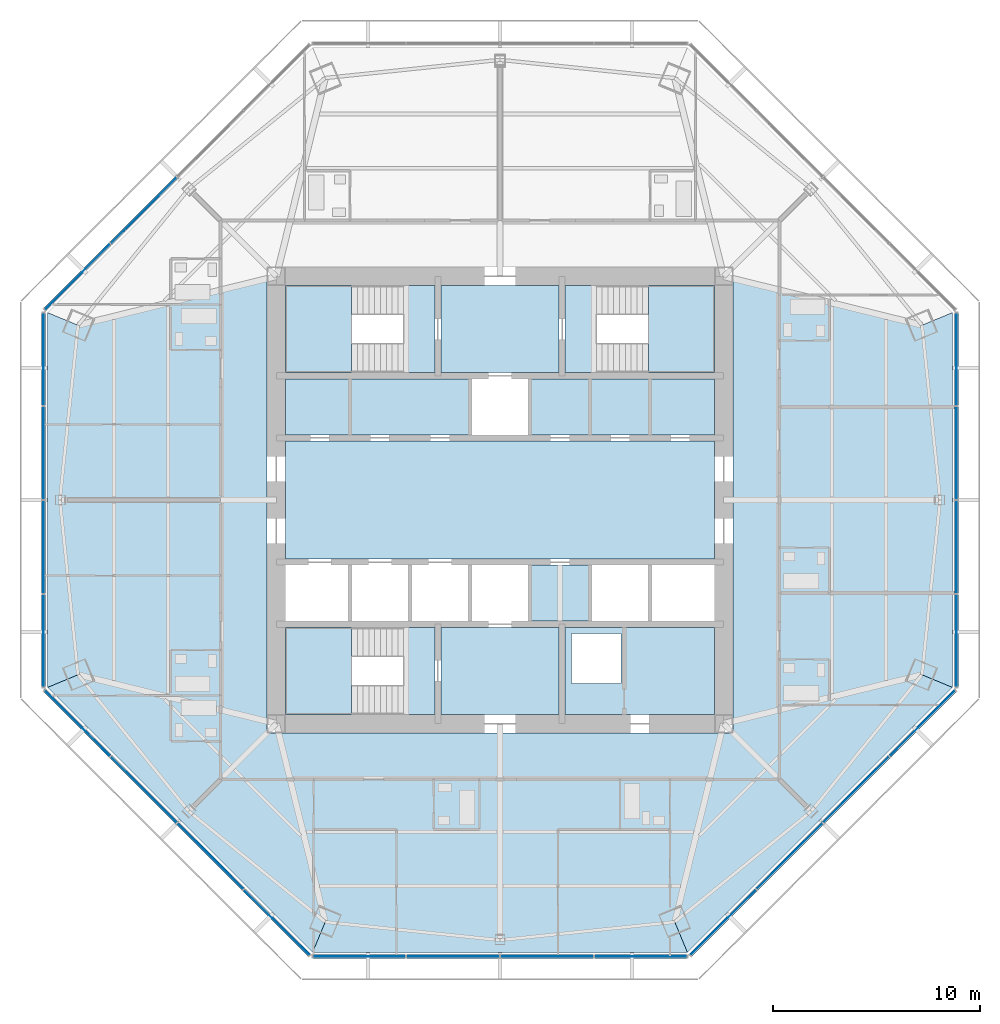
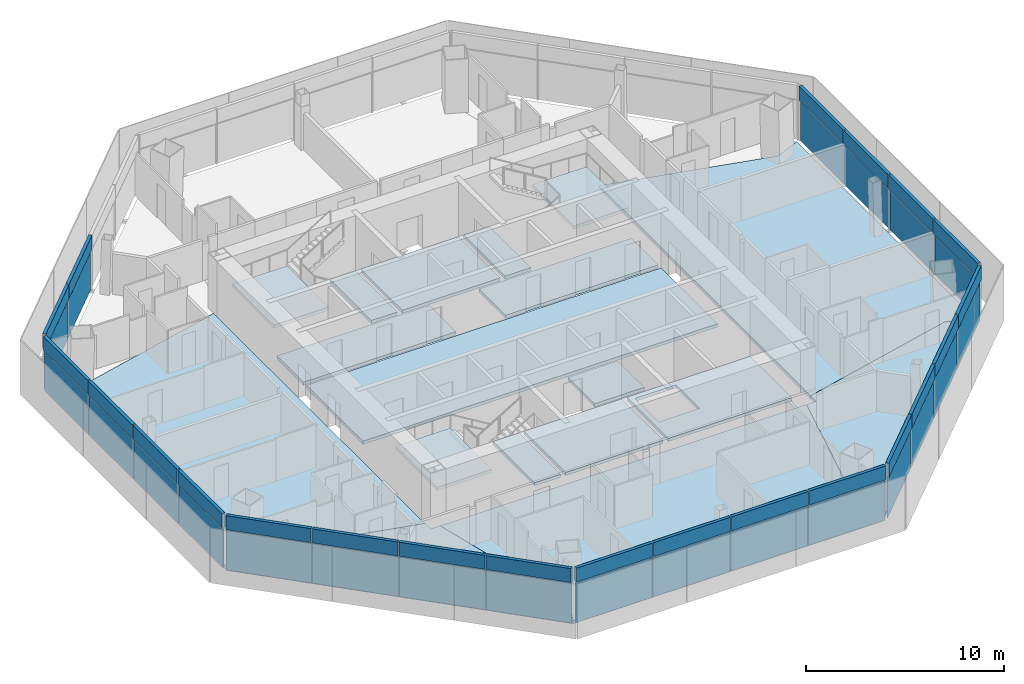
# One storey, part 7 of 15: 44 plates, 18 slabs, 9 elements without a shape of their own.
"""IFC4 building model written with IfcOpenShell, lengths in metres."""

from ifc_helpers import new_model, si_unit, direction, frame, origin, origin_2d, place, context, subcontext, project, spatial, polyline, rectangle, outline, extrude, source, transform, mapped, material, layer, layer_set, type_object, type_shapes, element, aggregate, save


model = new_model("IFC4")

# Units and contexts
model_context = context("Model", 3, precision=1e-05, world=origin(), true_north=direction((0.0, 1.0)))
body_context = subcontext(model_context, "Body", "Model", "MODEL_VIEW")
ifc_project = project(units=[si_unit("LENGTHUNIT", "METRE"), si_unit("AREAUNIT", "SQUARE_METRE"), si_unit("VOLUMEUNIT", "CUBIC_METRE"), si_unit("PLANEANGLEUNIT", "RADIAN"), si_unit("MASSUNIT", "GRAM", prefix="KILO")], contexts=[model_context])

# Site, building, storey
site_placement = place(None, origin())
site = spatial("IfcSite", under=ifc_project, at=site_placement, CompositionType="ELEMENT")
building_placement = place(site_placement, origin())
building = spatial("IfcBuilding", under=site, at=building_placement, Name="Mashrafa Tower", CompositionType="ELEMENT")
storey_placement = place(building_placement, frame((0.0, 0.0, 210.800048828125)))
storey = spatial("IfcBuildingStorey", under=building, at=storey_placement, Name="L48", CompositionType="ELEMENT", Elevation=210.800048828125)

# Slabs
ifc_material_1 = material(Name="Concrete C35/45", Category="concrete")
ifc_layer_1 = layer(ifc_material_1, 0.199951171875)
ifc_layer_set_1 = layer_set([ifc_layer_1], Name="Floor slab 200")
slab_type_1 = type_object("IfcSlabType", Name="Floor slab 200", PredefinedType="FLOOR", material=ifc_layer_set_1)
slab_1_placement = place(storey_placement, frame((0.0, 0.0, -0.199951171875)))
element("IfcSlab", 1, at=slab_1_placement, inside=storey, type_object=slab_type_1, Name="Floor slab L48 east bay", PredefinedType="FLOOR", context=body_context, shape_type="SweptSolid", body=[
    extrude(outline(polyline([(21.8515625, -9.05126953125), (20.37890625, -8.441162109375), (11.25, -10.689208984375), (11.25, 10.689208984375), (20.37890625, 8.441162109375), (21.8515625, 9.05126953125), (21.8515625, -9.05126953125)])), origin(), (0.0, 0.0, 1.0), 0.199951171875),
])
slab_2_placement = place(storey_placement, frame((0.0, 0.0, -0.199951171875)))
element("IfcSlab", 2, at=slab_2_placement, inside=storey, type_object=slab_type_1, Name="Floor slab L48 west bay", PredefinedType="FLOOR", context=body_context, shape_type="SweptSolid", body=[
    extrude(outline(polyline([(-21.8515625, 9.05126953125), (-20.37890625, 8.441162109375), (-11.25, 10.689208984375), (-11.25, -10.689208984375), (-20.37890625, -8.441162109375), (-21.8515625, -9.05126953125), (-21.8515625, 9.05126953125)])), origin(), (0.0, 0.0, 1.0), 0.199951171875),
])
slab_3_placement = place(storey_placement, frame((0.0, 0.0, -0.199951171875)))
element("IfcSlab", 3, at=slab_3_placement, inside=storey, type_object=slab_type_1, Name="Floor slab L48 south-west bay", PredefinedType="FLOOR", context=body_context, shape_type="SweptSolid", body=[
    extrude(outline(polyline([(-9.05126953125, -21.8515625), (-21.8515625, -9.05126953125), (-21.8515625, -9.05126953125), (-20.37890625, -8.441162109375), (-11.25, -10.689208984375), (-11.25, -11.25), (-10.689208984375, -11.25), (-8.441162109375, -20.37890625), (-9.05126953125, -21.8515625), (-9.05126953125, -21.8515625)])), origin(), (0.0, 0.0, 1.0), 0.199951171875),
])
slab_4_placement = place(storey_placement, frame((0.0, 0.0, -0.199951171875)))
element("IfcSlab", 4, at=slab_4_placement, inside=storey, type_object=slab_type_1, Name="Floor slab L48 south bay", PredefinedType="FLOOR", context=body_context, shape_type="SweptSolid", body=[
    extrude(outline(polyline([(-9.05126953125, -21.8515625), (-8.441162109375, -20.37890625), (-10.689208984375, -11.25), (10.689208984375, -11.25), (8.441162109375, -20.37890625), (9.05126953125, -21.8515625), (-9.05126953125, -21.8515625)])), origin(), (0.0, 0.0, 1.0), 0.199951171875),
])
slab_5_placement = place(storey_placement, frame((0.0, 0.0, -0.199951171875)))
element("IfcSlab", 5, at=slab_5_placement, inside=storey, type_object=slab_type_1, Name="Floor slab L48 south-east bay", PredefinedType="FLOOR", context=body_context, shape_type="SweptSolid", body=[
    extrude(outline(polyline([(9.05126953125, -21.8515625), (8.441162109375, -20.37890625), (10.689208984375, -11.25), (11.25, -11.25), (11.25, -10.689208984375), (20.37890625, -8.441162109375), (21.8515625, -9.05126953125), (21.8515625, -9.05126953125), (9.05126953125, -21.8515625), (9.05126953125, -21.8515625)])), origin(), (0.0, 0.0, 1.0), 0.199951171875),
])
slab_6_placement = place(storey_placement, frame((0.0, 0.0, -0.199951171875)))
element("IfcSlab", 6, at=slab_6_placement, inside=storey, type_object=slab_type_1, Name="Core floor lift hall L48", PredefinedType="FLOOR", context=body_context, shape_type="SweptSolid", body=[
    extrude(outline(polyline([(-10.35009765625, 2.85009765625), (10.35009765625, 2.85009765625), (10.35009765625, -2.85009765625), (-10.35009765625, -2.85009765625), (-10.35009765625, 2.85009765625)])), origin(), (0.0, 0.0, 1.0), 0.199951171875),
])
slab_7_placement = place(storey_placement, frame((0.0, 0.0, -0.199951171875)))
element("IfcSlab", 7, at=slab_7_placement, inside=storey, type_object=slab_type_1, Name="Core floor riser and electrical band L48", PredefinedType="FLOOR", context=body_context, shape_type="SweptSolid", body=[
    extrude(outline(polyline([(10.35009765625, -6.14990234375), (10.35009765625, -10.35009765625), (3.14990234375, -10.35009765625), (3.14990234375, -6.14990234375), (10.35009765625, -6.14990234375)]), holes=[polyline([(3.449951171875, -8.85009765625), (5.85009765625, -8.85009765625), (5.85009765625, -6.449951171875), (3.449951171875, -6.449951171875), (3.449951171875, -8.85009765625)])]), origin(), (0.0, 0.0, 1.0), 0.199951171875),
])
slab_8_placement = place(storey_placement, frame((0.0, 0.0, -0.199951171875)))
element("IfcSlab", 8, at=slab_8_placement, inside=storey, type_object=slab_type_1, Name="Core floor lift cell L48", PredefinedType="FLOOR", context=body_context, shape_type="SweptSolid", body=[
    extrude(outline(polyline([(-10.35009765625, 5.85009765625), (-1.449951171875, 5.85009765625), (-1.449951171875, 3.14990234375), (-10.35009765625, 3.14990234375), (-10.35009765625, 5.85009765625)])), origin(), (0.0, 0.0, 1.0), 0.199951171875),
])
slab_9_placement = place(storey_placement, frame((0.0, 0.0, -0.199951171875)))
element("IfcSlab", 9, at=slab_9_placement, inside=storey, type_object=slab_type_1, Name="Core floor lift cell L48", PredefinedType="FLOOR", context=body_context, shape_type="SweptSolid", body=[
    extrude(outline(polyline([(1.449951171875, 5.85009765625), (10.35009765625, 5.85009765625), (10.35009765625, 3.14990234375), (1.449951171875, 3.14990234375), (1.449951171875, 5.85009765625)])), origin(), (0.0, 0.0, 1.0), 0.199951171875),
])
slab_10_placement = place(storey_placement, frame((0.0, 0.0, -0.199951171875)))
element("IfcSlab", 10, at=slab_10_placement, inside=storey, type_object=slab_type_1, Name="Core floor fire-fighting lobby south L48", PredefinedType="FLOOR", context=body_context, shape_type="SweptSolid", body=[
    extrude(outline(polyline([(2.85009765625, -6.14990234375), (2.85009765625, -10.35009765625), (-2.85009765625, -10.35009765625), (-2.85009765625, -6.14990234375), (2.85009765625, -6.14990234375)])), origin(), (0.0, 0.0, 1.0), 0.199951171875),
])
slab_11_placement = place(storey_placement, frame((0.0, 0.0, -0.199951171875)))
element("IfcSlab", 11, at=slab_11_placement, inside=storey, type_object=slab_type_1, Name="Core floor fire-fighting lobby north L48", PredefinedType="FLOOR", context=body_context, shape_type="SweptSolid", body=[
    extrude(outline(polyline([(-2.85009765625, 10.35009765625), (2.85009765625, 10.35009765625), (2.85009765625, 6.14990234375), (-2.85009765625, 6.14990234375), (-2.85009765625, 10.35009765625)])), origin(), (0.0, 0.0, 1.0), 0.199951171875),
])
slab_12_placement = place(storey_placement, frame((0.0, 0.0, -0.199951171875)))
element("IfcSlab", 12, at=slab_12_placement, inside=storey, type_object=slab_type_1, Name="Core floor lift cell L48", PredefinedType="FLOOR", context=body_context, shape_type="SweptSolid", body=[
    extrude(outline(polyline([(4.35009765625, -3.14990234375), (4.35009765625, -5.85009765625), (1.449951171875, -5.85009765625), (1.449951171875, -3.14990234375), (4.35009765625, -3.14990234375)])), origin(), (0.0, 0.0, 1.0), 0.199951171875),
])

# Stair, slabs
ifc_material_2 = material(Name="Exit stair 1400")
stair_type = type_object("IfcStairType", Name="Exit stair 1400", PredefinedType="HALF_TURN_STAIR", material=ifc_material_2)
stair_1_placement = place(storey_placement, origin())
stair_1 = element("IfcStair", 13, at=stair_1_placement, inside=storey, type_object=stair_type, Name="Stair S1 L48", PredefinedType="HALF_TURN_STAIR")
ifc_material_3 = material(Name="Concrete C32/40", Category="concrete")
ifc_layer_2 = layer(ifc_material_3, 0.199951171875)
ifc_layer_set_2 = layer_set([ifc_layer_2], Name="Stair landing 200")
slab_type_2 = type_object("IfcSlabType", Name="Stair landing 200", PredefinedType="LANDING", material=ifc_layer_set_2)
slab_13_placement = place(storey_placement, frame((0.0, 0.0, -0.199951171875)))
slab_13 = element("IfcSlab", 14, at=slab_13_placement, type_object=slab_type_2, Name="S1 landing 1", PredefinedType="LANDING", context=body_context, shape_type="SweptSolid", body=[
    extrude(outline(polyline([(-4.659912109375, 6.14990234375), (-3.14990234375, 6.14990234375), (-3.14990234375, 10.35009765625), (-4.659912109375, 10.35009765625), (-4.659912109375, 6.14990234375)])), origin(), (0.0, 0.0, 1.0), 0.199951171875),
])
slab_14_placement = place(storey_placement, frame((0.0, 0.0, 1.5)))
slab_14 = element("IfcSlab", 15, at=slab_14_placement, type_object=slab_type_2, Name="S1 landing 2", PredefinedType="LANDING", context=body_context, shape_type="SweptSolid", body=[
    extrude(outline(polyline([(-10.35009765625, 6.14990234375), (-7.159912109375, 6.14990234375), (-7.159912109375, 10.35009765625), (-10.35009765625, 10.35009765625), (-10.35009765625, 6.14990234375)])), origin(), (0.0, 0.0, 1.0), 0.199951171875),
])
aggregate(stair_1, [slab_13, slab_14])

stair_2_placement = place(storey_placement, origin())
stair_2 = element("IfcStair", 16, at=stair_2_placement, inside=storey, type_object=stair_type, Name="Stair S2 L48", PredefinedType="HALF_TURN_STAIR")
slab_15_placement = place(storey_placement, frame((0.0, 0.0, -0.199951171875)))
slab_15 = element("IfcSlab", 17, at=slab_15_placement, type_object=slab_type_2, Name="S2 landing 1", PredefinedType="LANDING", context=body_context, shape_type="SweptSolid", body=[
    extrude(outline(polyline([(3.14990234375, 6.14990234375), (4.659912109375, 6.14990234375), (4.659912109375, 10.35009765625), (3.14990234375, 10.35009765625), (3.14990234375, 6.14990234375)])), origin(), (0.0, 0.0, 1.0), 0.199951171875),
])
slab_16_placement = place(storey_placement, frame((0.0, 0.0, 1.5)))
slab_16 = element("IfcSlab", 18, at=slab_16_placement, type_object=slab_type_2, Name="S2 landing 2", PredefinedType="LANDING", context=body_context, shape_type="SweptSolid", body=[
    extrude(outline(polyline([(7.159912109375, 6.14990234375), (10.35009765625, 6.14990234375), (10.35009765625, 10.35009765625), (7.159912109375, 10.35009765625), (7.159912109375, 6.14990234375)])), origin(), (0.0, 0.0, 1.0), 0.199951171875),
])
aggregate(stair_2, [slab_15, slab_16])

stair_3_placement = place(storey_placement, origin())
stair_3 = element("IfcStair", 19, at=stair_3_placement, inside=storey, type_object=stair_type, Name="Stair S3 L48", PredefinedType="HALF_TURN_STAIR")
slab_17_placement = place(storey_placement, frame((0.0, 0.0, -0.199951171875)))
slab_17 = element("IfcSlab", 20, at=slab_17_placement, type_object=slab_type_2, Name="S3 landing 1", PredefinedType="LANDING", context=body_context, shape_type="SweptSolid", body=[
    extrude(outline(polyline([(-4.659912109375, -10.35009765625), (-3.14990234375, -10.35009765625), (-3.14990234375, -6.14990234375), (-4.659912109375, -6.14990234375), (-4.659912109375, -10.35009765625)])), origin(), (0.0, 0.0, 1.0), 0.199951171875),
])
slab_18_placement = place(storey_placement, frame((0.0, 0.0, 1.5)))
slab_18 = element("IfcSlab", 21, at=slab_18_placement, type_object=slab_type_2, Name="S3 landing 2", PredefinedType="LANDING", context=body_context, shape_type="SweptSolid", body=[
    extrude(outline(polyline([(-10.35009765625, -10.35009765625), (-7.159912109375, -10.35009765625), (-7.159912109375, -6.14990234375), (-10.35009765625, -6.14990234375), (-10.35009765625, -10.35009765625)])), origin(), (0.0, 0.0, 1.0), 0.199951171875),
])
aggregate(stair_3, [slab_17, slab_18])

# Curtain wall, plates
ifc_material_4 = material(Name="Unitised aluminium curtain wall", Category="aluminium")
curtain_wall_type = type_object("IfcCurtainWallType", Name="Apartment curtain wall, zone 3 CW-C 180 deep", PredefinedType="NOTDEFINED", material=ifc_material_4)
curtain_wall_1_placement = place(storey_placement, origin())
curtain_wall_1 = element("IfcCurtainWall", 22, at=curtain_wall_1_placement, inside=storey, type_object=curtain_wall_type, Name="Apartment curtain wall, zone 3 L48 east", PredefinedType="NOTDEFINED")
ifc_material_5 = material(Name="Insulated double glazing, acoustic", Category="glass")
ifc_layer_3 = layer(ifc_material_5, 0.028076171875)
ifc_layer_set_3 = layer_set([ifc_layer_3], Name="Vision panel CW-C 28")
plate_type_1 = type_object("IfcPlateType", Name="Vision panel CW-C 28", PredefinedType="CURTAIN_PANEL", material=ifc_layer_set_3)
shared_shape_1 = source(origin(), body_context, "Body", "SweptSolid", [
    extrude(rectangle(XDim=4.453369140625, YDim=0.028076171875, at=origin_2d()), origin(), (0.0, 0.0, 1.0), 2.46240234375),
])
plate_1_placement = place(storey_placement, frame((22.051513671875, -6.800048828125, 0.0), z_axis=(0.0, 0.0, 1.0), x_axis=(0.0, 1.0, 0.0)))
plate_1 = element("IfcPlate", 23, at=plate_1_placement, type_object=plate_type_1, Name="CW-C vision panel 1", PredefinedType="CURTAIN_PANEL", context=body_context, shape_type="MappedRepresentation", body=[
    mapped(shared_shape_1, transform((0.0, 0.0, 0.0))),
])
plate_2_placement = place(storey_placement, frame((22.051513671875, 6.800048828125, 0.0), z_axis=(0.0, 0.0, 1.0), x_axis=(0.0, 1.0, 0.0)))
plate_2 = element("IfcPlate", 24, at=plate_2_placement, type_object=plate_type_1, Name="CW-C vision panel 4", PredefinedType="CURTAIN_PANEL", context=body_context, shape_type="MappedRepresentation", body=[
    mapped(shared_shape_1, transform((0.0, 0.0, 0.0))),
])

# Curtain wall, plate
curtain_wall_2_placement = place(storey_placement, origin())
curtain_wall_2 = element("IfcCurtainWall", 25, at=curtain_wall_2_placement, inside=storey, type_object=curtain_wall_type, Name="Apartment curtain wall, zone 3 L48 north-west", PredefinedType="NOTDEFINED")
plate_3_placement = place(storey_placement, frame((-20.401123046875, 10.784423828125, 0.0), z_axis=(0.0, 0.0, 1.0), x_axis=(-0.707106781187, -0.707106781187, 0.0)))
plate_3 = element("IfcPlate", 26, at=plate_3_placement, type_object=plate_type_1, Name="CW-C vision panel 4", PredefinedType="CURTAIN_PANEL", context=body_context, shape_type="MappedRepresentation", body=[
    mapped(shared_shape_1, transform((0.0, 0.0, 0.0))),
])

# Curtain wall, plates
curtain_wall_3_placement = place(storey_placement, origin())
curtain_wall_3 = element("IfcCurtainWall", 27, at=curtain_wall_3_placement, inside=storey, type_object=curtain_wall_type, Name="Apartment curtain wall, zone 3 L48 west", PredefinedType="NOTDEFINED")
plate_4_placement = place(storey_placement, frame((-22.051513671875, 6.800048828125, 0.0), z_axis=(0.0, 0.0, 1.0), x_axis=(0.0, -1.0, 0.0)))
plate_4 = element("IfcPlate", 28, at=plate_4_placement, type_object=plate_type_1, Name="CW-C vision panel 1", PredefinedType="CURTAIN_PANEL", context=body_context, shape_type="MappedRepresentation", body=[
    mapped(shared_shape_1, transform((0.0, 0.0, 0.0))),
])
plate_5_placement = place(storey_placement, frame((-22.051513671875, -6.800048828125, 0.0), z_axis=(0.0, 0.0, 1.0), x_axis=(0.0, -1.0, 0.0)))
plate_5 = element("IfcPlate", 29, at=plate_5_placement, type_object=plate_type_1, Name="CW-C vision panel 4", PredefinedType="CURTAIN_PANEL", context=body_context, shape_type="MappedRepresentation", body=[
    mapped(shared_shape_1, transform((0.0, 0.0, 0.0))),
])

curtain_wall_4_placement = place(storey_placement, origin())
curtain_wall_4 = element("IfcCurtainWall", 30, at=curtain_wall_4_placement, inside=storey, type_object=curtain_wall_type, Name="Apartment curtain wall, zone 3 L48 south-west", PredefinedType="NOTDEFINED")
plate_6_placement = place(storey_placement, frame((-20.401123046875, -10.784423828125, 0.0), z_axis=(0.0, 0.0, 1.0), x_axis=(0.707106781187, -0.707106781187, 0.0)))
plate_6 = element("IfcPlate", 31, at=plate_6_placement, type_object=plate_type_1, Name="CW-C vision panel 1", PredefinedType="CURTAIN_PANEL", context=body_context, shape_type="MappedRepresentation", body=[
    mapped(shared_shape_1, transform((0.0, 0.0, 0.0))),
])
plate_7_placement = place(storey_placement, frame((-10.784423828125, -20.401123046875, 0.0), z_axis=(0.0, 0.0, 1.0), x_axis=(0.707106781187, -0.707106781187, 0.0)))
plate_7 = element("IfcPlate", 32, at=plate_7_placement, type_object=plate_type_1, Name="CW-C vision panel 4", PredefinedType="CURTAIN_PANEL", context=body_context, shape_type="MappedRepresentation", body=[
    mapped(shared_shape_1, transform((0.0, 0.0, 0.0))),
])

curtain_wall_5_placement = place(storey_placement, origin())
curtain_wall_5 = element("IfcCurtainWall", 33, at=curtain_wall_5_placement, inside=storey, type_object=curtain_wall_type, Name="Apartment curtain wall, zone 3 L48 south", PredefinedType="NOTDEFINED")
plate_8_placement = place(storey_placement, frame((-6.800048828125, -22.051513671875, 0.0), z_axis=(0.0, 0.0, 1.0), x_axis=(1.0, 0.0, 0.0)))
plate_8 = element("IfcPlate", 34, at=plate_8_placement, type_object=plate_type_1, Name="CW-C vision panel 1", PredefinedType="CURTAIN_PANEL", context=body_context, shape_type="MappedRepresentation", body=[
    mapped(shared_shape_1, transform((0.0, 0.0, 0.0))),
])
plate_9_placement = place(storey_placement, frame((6.800048828125, -22.051513671875, 0.0), z_axis=(0.0, 0.0, 1.0), x_axis=(1.0, 0.0, 0.0)))
plate_9 = element("IfcPlate", 35, at=plate_9_placement, type_object=plate_type_1, Name="CW-C vision panel 4", PredefinedType="CURTAIN_PANEL", context=body_context, shape_type="MappedRepresentation", body=[
    mapped(shared_shape_1, transform((0.0, 0.0, 0.0))),
])

curtain_wall_6_placement = place(storey_placement, origin())
curtain_wall_6 = element("IfcCurtainWall", 36, at=curtain_wall_6_placement, inside=storey, type_object=curtain_wall_type, Name="Apartment curtain wall, zone 3 L48 south-east", PredefinedType="NOTDEFINED")
plate_10_placement = place(storey_placement, frame((10.784423828125, -20.401123046875, 0.0), z_axis=(0.0, 0.0, 1.0), x_axis=(0.707106781187, 0.707106781187, 0.0)))
plate_10 = element("IfcPlate", 37, at=plate_10_placement, type_object=plate_type_1, Name="CW-C vision panel 1", PredefinedType="CURTAIN_PANEL", context=body_context, shape_type="MappedRepresentation", body=[
    mapped(shared_shape_1, transform((0.0, 0.0, 0.0))),
])
plate_11_placement = place(storey_placement, frame((20.401123046875, -10.784423828125, 0.0), z_axis=(0.0, 0.0, 1.0), x_axis=(0.707106781187, 0.707106781187, 0.0)))
plate_11 = element("IfcPlate", 38, at=plate_11_placement, type_object=plate_type_1, Name="CW-C vision panel 4", PredefinedType="CURTAIN_PANEL", context=body_context, shape_type="MappedRepresentation", body=[
    mapped(shared_shape_1, transform((0.0, 0.0, 0.0))),
])

# Plate
ifc_material_6 = material(Name="Insulated bronze aluminium spandrel panel", Category="aluminium")
ifc_layer_4 = layer(ifc_material_6, 0.179931640625)
ifc_layer_set_4 = layer_set([ifc_layer_4], Name="Spandrel panel CW-C 180")
plate_type_2 = type_object("IfcPlateType", Name="Spandrel panel CW-C 180", PredefinedType="CURTAIN_PANEL", material=ifc_layer_set_4)
shared_shape_2 = source(origin(), body_context, "Body", "SweptSolid", [
    extrude(rectangle(XDim=4.453369140625, YDim=0.179931640625, at=origin_2d()), origin(), (0.0, 0.0, 1.0), 0.862548828125),
])
plate_12_placement = place(storey_placement, frame((22.051513671875, -6.800048828125, 2.53759765625), z_axis=(0.0, 0.0, 1.0), x_axis=(0.0, 1.0, 0.0)))
plate_12 = element("IfcPlate", 39, at=plate_12_placement, type_object=plate_type_2, Name="CW-C spandrel panel 1", PredefinedType="CURTAIN_PANEL", context=body_context, shape_type="MappedRepresentation", body=[
    mapped(shared_shape_2, transform((0.0, 0.0, 0.0))),
])

plate_13_placement = place(storey_placement, frame((22.051513671875, 6.800048828125, 2.53759765625), z_axis=(0.0, 0.0, 1.0), x_axis=(0.0, 1.0, 0.0)))
plate_13 = element("IfcPlate", 40, at=plate_13_placement, type_object=plate_type_2, Name="CW-C spandrel panel 4", PredefinedType="CURTAIN_PANEL", context=body_context, shape_type="MappedRepresentation", body=[
    mapped(shared_shape_2, transform((0.0, 0.0, 0.0))),
])

plate_14_placement = place(storey_placement, frame((-20.401123046875, 10.784423828125, 2.53759765625), z_axis=(0.0, 0.0, 1.0), x_axis=(-0.707106781187, -0.707106781187, 0.0)))
plate_14 = element("IfcPlate", 41, at=plate_14_placement, type_object=plate_type_2, Name="CW-C spandrel panel 4", PredefinedType="CURTAIN_PANEL", context=body_context, shape_type="MappedRepresentation", body=[
    mapped(shared_shape_2, transform((0.0, 0.0, 0.0))),
])

plate_15_placement = place(storey_placement, frame((-22.051513671875, 6.800048828125, 2.53759765625), z_axis=(0.0, 0.0, 1.0), x_axis=(0.0, -1.0, 0.0)))
plate_15 = element("IfcPlate", 42, at=plate_15_placement, type_object=plate_type_2, Name="CW-C spandrel panel 1", PredefinedType="CURTAIN_PANEL", context=body_context, shape_type="MappedRepresentation", body=[
    mapped(shared_shape_2, transform((0.0, 0.0, 0.0))),
])

plate_16_placement = place(storey_placement, frame((-22.051513671875, -6.800048828125, 2.53759765625), z_axis=(0.0, 0.0, 1.0), x_axis=(0.0, -1.0, 0.0)))
plate_16 = element("IfcPlate", 43, at=plate_16_placement, type_object=plate_type_2, Name="CW-C spandrel panel 4", PredefinedType="CURTAIN_PANEL", context=body_context, shape_type="MappedRepresentation", body=[
    mapped(shared_shape_2, transform((0.0, 0.0, 0.0))),
])

plate_17_placement = place(storey_placement, frame((-20.401123046875, -10.784423828125, 2.53759765625), z_axis=(0.0, 0.0, 1.0), x_axis=(0.707106781187, -0.707106781187, 0.0)))
plate_17 = element("IfcPlate", 44, at=plate_17_placement, type_object=plate_type_2, Name="CW-C spandrel panel 1", PredefinedType="CURTAIN_PANEL", context=body_context, shape_type="MappedRepresentation", body=[
    mapped(shared_shape_2, transform((0.0, 0.0, 0.0))),
])

plate_18_placement = place(storey_placement, frame((-10.784423828125, -20.401123046875, 2.53759765625), z_axis=(0.0, 0.0, 1.0), x_axis=(0.707106781187, -0.707106781187, 0.0)))
plate_18 = element("IfcPlate", 45, at=plate_18_placement, type_object=plate_type_2, Name="CW-C spandrel panel 4", PredefinedType="CURTAIN_PANEL", context=body_context, shape_type="MappedRepresentation", body=[
    mapped(shared_shape_2, transform((0.0, 0.0, 0.0))),
])

plate_19_placement = place(storey_placement, frame((-6.800048828125, -22.051513671875, 2.53759765625), z_axis=(0.0, 0.0, 1.0), x_axis=(1.0, 0.0, 0.0)))
plate_19 = element("IfcPlate", 46, at=plate_19_placement, type_object=plate_type_2, Name="CW-C spandrel panel 1", PredefinedType="CURTAIN_PANEL", context=body_context, shape_type="MappedRepresentation", body=[
    mapped(shared_shape_2, transform((0.0, 0.0, 0.0))),
])

plate_20_placement = place(storey_placement, frame((6.800048828125, -22.051513671875, 2.53759765625), z_axis=(0.0, 0.0, 1.0), x_axis=(1.0, 0.0, 0.0)))
plate_20 = element("IfcPlate", 47, at=plate_20_placement, type_object=plate_type_2, Name="CW-C spandrel panel 4", PredefinedType="CURTAIN_PANEL", context=body_context, shape_type="MappedRepresentation", body=[
    mapped(shared_shape_2, transform((0.0, 0.0, 0.0))),
])

plate_21_placement = place(storey_placement, frame((10.784423828125, -20.401123046875, 2.53759765625), z_axis=(0.0, 0.0, 1.0), x_axis=(0.707106781187, 0.707106781187, 0.0)))
plate_21 = element("IfcPlate", 48, at=plate_21_placement, type_object=plate_type_2, Name="CW-C spandrel panel 1", PredefinedType="CURTAIN_PANEL", context=body_context, shape_type="MappedRepresentation", body=[
    mapped(shared_shape_2, transform((0.0, 0.0, 0.0))),
])

plate_22_placement = place(storey_placement, frame((20.401123046875, -10.784423828125, 2.53759765625), z_axis=(0.0, 0.0, 1.0), x_axis=(0.707106781187, 0.707106781187, 0.0)))
plate_22 = element("IfcPlate", 49, at=plate_22_placement, type_object=plate_type_2, Name="CW-C spandrel panel 4", PredefinedType="CURTAIN_PANEL", context=body_context, shape_type="MappedRepresentation", body=[
    mapped(shared_shape_2, transform((0.0, 0.0, 0.0))),
])

shared_shape_3 = source(origin(), body_context, "Body", "SweptSolid", [
    extrude(rectangle(XDim=4.4833984375, YDim=0.028076171875, at=origin_2d()), origin(), (0.0, 0.0, 1.0), 2.46240234375),
])
type_shapes(plate_type_1, [shared_shape_1, shared_shape_3])
plate_23_placement = place(storey_placement, frame((22.051513671875, -2.271728515625, 0.0), z_axis=(0.0, 0.0, 1.0), x_axis=(0.0, 1.0, 0.0)))
plate_23 = element("IfcPlate", 50, at=plate_23_placement, type_object=plate_type_1, Name="CW-C vision panel 2", PredefinedType="CURTAIN_PANEL", context=body_context, shape_type="MappedRepresentation", body=[
    mapped(shared_shape_3, transform((0.0, 0.0, 0.0))),
])

plate_24_placement = place(storey_placement, frame((22.051513671875, 2.271728515625, 0.0), z_axis=(0.0, 0.0, 1.0), x_axis=(0.0, 1.0, 0.0)))
plate_24 = element("IfcPlate", 51, at=plate_24_placement, type_object=plate_type_1, Name="CW-C vision panel 3", PredefinedType="CURTAIN_PANEL", context=body_context, shape_type="MappedRepresentation", body=[
    mapped(shared_shape_3, transform((0.0, 0.0, 0.0))),
])

plate_25_placement = place(storey_placement, frame((-17.198974609375, 13.986328125, 0.0), z_axis=(0.0, 0.0, 1.0), x_axis=(-0.707106781187, -0.707106781187, 0.0)))
plate_25 = element("IfcPlate", 52, at=plate_25_placement, type_object=plate_type_1, Name="CW-C vision panel 3", PredefinedType="CURTAIN_PANEL", context=body_context, shape_type="MappedRepresentation", body=[
    mapped(shared_shape_3, transform((0.0, 0.0, 0.0))),
])

plate_26_placement = place(storey_placement, frame((-22.051513671875, 2.271728515625, 0.0), z_axis=(0.0, 0.0, 1.0), x_axis=(0.0, -1.0, 0.0)))
plate_26 = element("IfcPlate", 53, at=plate_26_placement, type_object=plate_type_1, Name="CW-C vision panel 2", PredefinedType="CURTAIN_PANEL", context=body_context, shape_type="MappedRepresentation", body=[
    mapped(shared_shape_3, transform((0.0, 0.0, 0.0))),
])

plate_27_placement = place(storey_placement, frame((-22.051513671875, -2.271728515625, 0.0), z_axis=(0.0, 0.0, 1.0), x_axis=(0.0, -1.0, 0.0)))
plate_27 = element("IfcPlate", 54, at=plate_27_placement, type_object=plate_type_1, Name="CW-C vision panel 3", PredefinedType="CURTAIN_PANEL", context=body_context, shape_type="MappedRepresentation", body=[
    mapped(shared_shape_3, transform((0.0, 0.0, 0.0))),
])

plate_28_placement = place(storey_placement, frame((-17.198974609375, -13.986328125, 0.0), z_axis=(0.0, 0.0, 1.0), x_axis=(0.707106781187, -0.707106781187, 0.0)))
plate_28 = element("IfcPlate", 55, at=plate_28_placement, type_object=plate_type_1, Name="CW-C vision panel 2", PredefinedType="CURTAIN_PANEL", context=body_context, shape_type="MappedRepresentation", body=[
    mapped(shared_shape_3, transform((0.0, 0.0, 0.0))),
])

plate_29_placement = place(storey_placement, frame((-13.986328125, -17.198974609375, 0.0), z_axis=(0.0, 0.0, 1.0), x_axis=(0.707106781187, -0.707106781187, 0.0)))
plate_29 = element("IfcPlate", 56, at=plate_29_placement, type_object=plate_type_1, Name="CW-C vision panel 3", PredefinedType="CURTAIN_PANEL", context=body_context, shape_type="MappedRepresentation", body=[
    mapped(shared_shape_3, transform((0.0, 0.0, 0.0))),
])

plate_30_placement = place(storey_placement, frame((-2.271728515625, -22.051513671875, 0.0), z_axis=(0.0, 0.0, 1.0), x_axis=(1.0, 0.0, 0.0)))
plate_30 = element("IfcPlate", 57, at=plate_30_placement, type_object=plate_type_1, Name="CW-C vision panel 2", PredefinedType="CURTAIN_PANEL", context=body_context, shape_type="MappedRepresentation", body=[
    mapped(shared_shape_3, transform((0.0, 0.0, 0.0))),
])

plate_31_placement = place(storey_placement, frame((2.271728515625, -22.051513671875, 0.0), z_axis=(0.0, 0.0, 1.0), x_axis=(1.0, 0.0, 0.0)))
plate_31 = element("IfcPlate", 58, at=plate_31_placement, type_object=plate_type_1, Name="CW-C vision panel 3", PredefinedType="CURTAIN_PANEL", context=body_context, shape_type="MappedRepresentation", body=[
    mapped(shared_shape_3, transform((0.0, 0.0, 0.0))),
])

plate_32_placement = place(storey_placement, frame((13.986328125, -17.198974609375, 0.0), z_axis=(0.0, 0.0, 1.0), x_axis=(0.707106781187, 0.707106781187, 0.0)))
plate_32 = element("IfcPlate", 59, at=plate_32_placement, type_object=plate_type_1, Name="CW-C vision panel 2", PredefinedType="CURTAIN_PANEL", context=body_context, shape_type="MappedRepresentation", body=[
    mapped(shared_shape_3, transform((0.0, 0.0, 0.0))),
])

plate_33_placement = place(storey_placement, frame((17.198974609375, -13.986328125, 0.0), z_axis=(0.0, 0.0, 1.0), x_axis=(0.707106781187, 0.707106781187, 0.0)))
plate_33 = element("IfcPlate", 60, at=plate_33_placement, type_object=plate_type_1, Name="CW-C vision panel 3", PredefinedType="CURTAIN_PANEL", context=body_context, shape_type="MappedRepresentation", body=[
    mapped(shared_shape_3, transform((0.0, 0.0, 0.0))),
])

shared_shape_4 = source(origin(), body_context, "Body", "SweptSolid", [
    extrude(rectangle(XDim=4.4833984375, YDim=0.179931640625, at=origin_2d()), origin(), (0.0, 0.0, 1.0), 0.862548828125),
])
type_shapes(plate_type_2, [shared_shape_2, shared_shape_4])
plate_34_placement = place(storey_placement, frame((22.051513671875, -2.271728515625, 2.53759765625), z_axis=(0.0, 0.0, 1.0), x_axis=(0.0, 1.0, 0.0)))
plate_34 = element("IfcPlate", 61, at=plate_34_placement, type_object=plate_type_2, Name="CW-C spandrel panel 2", PredefinedType="CURTAIN_PANEL", context=body_context, shape_type="MappedRepresentation", body=[
    mapped(shared_shape_4, transform((0.0, 0.0, 0.0))),
])

plate_35_placement = place(storey_placement, frame((22.051513671875, 2.271728515625, 2.53759765625), z_axis=(0.0, 0.0, 1.0), x_axis=(0.0, 1.0, 0.0)))
plate_35 = element("IfcPlate", 62, at=plate_35_placement, type_object=plate_type_2, Name="CW-C spandrel panel 3", PredefinedType="CURTAIN_PANEL", context=body_context, shape_type="MappedRepresentation", body=[
    mapped(shared_shape_4, transform((0.0, 0.0, 0.0))),
])

aggregate(curtain_wall_1, [plate_1, plate_12, plate_23, plate_34, plate_24, plate_35, plate_2, plate_13])

plate_36_placement = place(storey_placement, frame((-17.198974609375, 13.986328125, 2.53759765625), z_axis=(0.0, 0.0, 1.0), x_axis=(-0.707106781187, -0.707106781187, 0.0)))
plate_36 = element("IfcPlate", 63, at=plate_36_placement, type_object=plate_type_2, Name="CW-C spandrel panel 3", PredefinedType="CURTAIN_PANEL", context=body_context, shape_type="MappedRepresentation", body=[
    mapped(shared_shape_4, transform((0.0, 0.0, 0.0))),
])

aggregate(curtain_wall_2, [plate_25, plate_36, plate_3, plate_14])

plate_37_placement = place(storey_placement, frame((-22.051513671875, 2.271728515625, 2.53759765625), z_axis=(0.0, 0.0, 1.0), x_axis=(0.0, -1.0, 0.0)))
plate_37 = element("IfcPlate", 64, at=plate_37_placement, type_object=plate_type_2, Name="CW-C spandrel panel 2", PredefinedType="CURTAIN_PANEL", context=body_context, shape_type="MappedRepresentation", body=[
    mapped(shared_shape_4, transform((0.0, 0.0, 0.0))),
])

plate_38_placement = place(storey_placement, frame((-22.051513671875, -2.271728515625, 2.53759765625), z_axis=(0.0, 0.0, 1.0), x_axis=(0.0, -1.0, 0.0)))
plate_38 = element("IfcPlate", 65, at=plate_38_placement, type_object=plate_type_2, Name="CW-C spandrel panel 3", PredefinedType="CURTAIN_PANEL", context=body_context, shape_type="MappedRepresentation", body=[
    mapped(shared_shape_4, transform((0.0, 0.0, 0.0))),
])

aggregate(curtain_wall_3, [plate_4, plate_15, plate_26, plate_37, plate_27, plate_38, plate_5, plate_16])

plate_39_placement = place(storey_placement, frame((-17.198974609375, -13.986328125, 2.53759765625), z_axis=(0.0, 0.0, 1.0), x_axis=(0.707106781187, -0.707106781187, 0.0)))
plate_39 = element("IfcPlate", 66, at=plate_39_placement, type_object=plate_type_2, Name="CW-C spandrel panel 2", PredefinedType="CURTAIN_PANEL", context=body_context, shape_type="MappedRepresentation", body=[
    mapped(shared_shape_4, transform((0.0, 0.0, 0.0))),
])

plate_40_placement = place(storey_placement, frame((-13.986328125, -17.198974609375, 2.53759765625), z_axis=(0.0, 0.0, 1.0), x_axis=(0.707106781187, -0.707106781187, 0.0)))
plate_40 = element("IfcPlate", 67, at=plate_40_placement, type_object=plate_type_2, Name="CW-C spandrel panel 3", PredefinedType="CURTAIN_PANEL", context=body_context, shape_type="MappedRepresentation", body=[
    mapped(shared_shape_4, transform((0.0, 0.0, 0.0))),
])

aggregate(curtain_wall_4, [plate_6, plate_17, plate_28, plate_39, plate_29, plate_40, plate_7, plate_18])

plate_41_placement = place(storey_placement, frame((-2.271728515625, -22.051513671875, 2.53759765625), z_axis=(0.0, 0.0, 1.0), x_axis=(1.0, 0.0, 0.0)))
plate_41 = element("IfcPlate", 68, at=plate_41_placement, type_object=plate_type_2, Name="CW-C spandrel panel 2", PredefinedType="CURTAIN_PANEL", context=body_context, shape_type="MappedRepresentation", body=[
    mapped(shared_shape_4, transform((0.0, 0.0, 0.0))),
])

plate_42_placement = place(storey_placement, frame((2.271728515625, -22.051513671875, 2.53759765625), z_axis=(0.0, 0.0, 1.0), x_axis=(1.0, 0.0, 0.0)))
plate_42 = element("IfcPlate", 69, at=plate_42_placement, type_object=plate_type_2, Name="CW-C spandrel panel 3", PredefinedType="CURTAIN_PANEL", context=body_context, shape_type="MappedRepresentation", body=[
    mapped(shared_shape_4, transform((0.0, 0.0, 0.0))),
])

aggregate(curtain_wall_5, [plate_8, plate_19, plate_30, plate_41, plate_31, plate_42, plate_9, plate_20])

plate_43_placement = place(storey_placement, frame((13.986328125, -17.198974609375, 2.53759765625), z_axis=(0.0, 0.0, 1.0), x_axis=(0.707106781187, 0.707106781187, 0.0)))
plate_43 = element("IfcPlate", 70, at=plate_43_placement, type_object=plate_type_2, Name="CW-C spandrel panel 2", PredefinedType="CURTAIN_PANEL", context=body_context, shape_type="MappedRepresentation", body=[
    mapped(shared_shape_4, transform((0.0, 0.0, 0.0))),
])

plate_44_placement = place(storey_placement, frame((17.198974609375, -13.986328125, 2.53759765625), z_axis=(0.0, 0.0, 1.0), x_axis=(0.707106781187, 0.707106781187, 0.0)))
plate_44 = element("IfcPlate", 71, at=plate_44_placement, type_object=plate_type_2, Name="CW-C spandrel panel 3", PredefinedType="CURTAIN_PANEL", context=body_context, shape_type="MappedRepresentation", body=[
    mapped(shared_shape_4, transform((0.0, 0.0, 0.0))),
])

aggregate(curtain_wall_6, [plate_10, plate_21, plate_32, plate_43, plate_33, plate_44, plate_11, plate_22])

save(model, "model.ifc")
